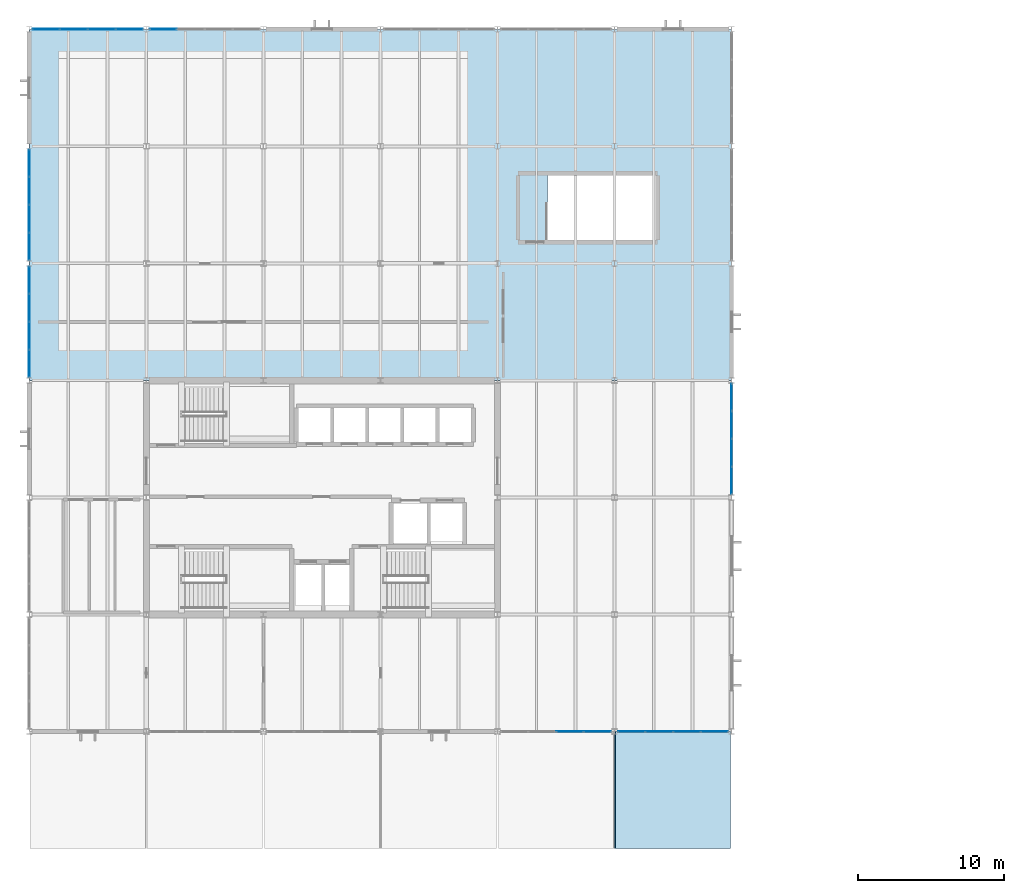
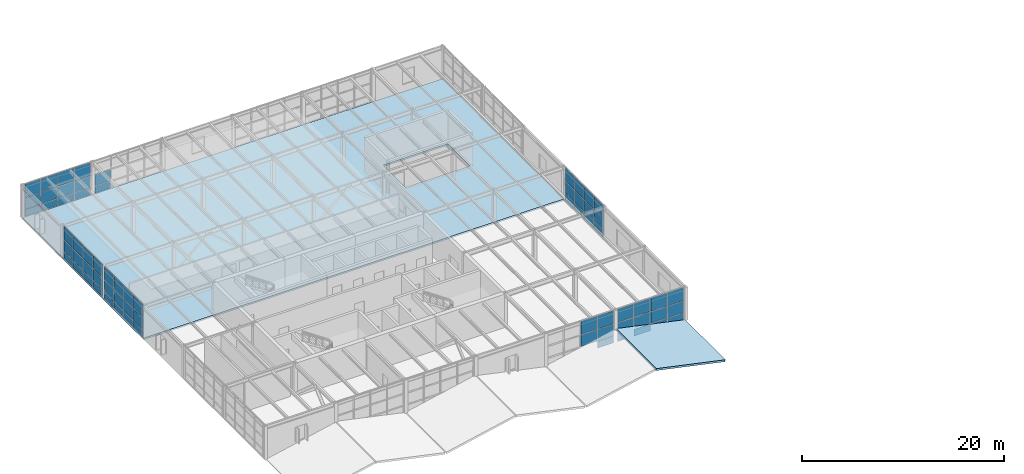
# One storey, part 22 of 34: 67 plates, 2 slabs, 7 elements without a shape of their own.
"""IFC4 building model written with IfcOpenShell, lengths in metres."""

from ifc_helpers import new_model, si_unit, direction, frame, origin, origin_2d, place, context, subcontext, project, spatial, polyline, rectangle, outline, extrude, material, layer, layer_set, type_object, element, aggregate, save


model = new_model("IFC4")

# Units and contexts
model_context = context("Model", 3, precision=1e-05, world=origin(), true_north=direction((0.0, 1.0)))
body_context = subcontext(model_context, "Body", "Model", "MODEL_VIEW")
ifc_project = project(units=[si_unit("LENGTHUNIT", "METRE"), si_unit("AREAUNIT", "SQUARE_METRE"), si_unit("VOLUMEUNIT", "CUBIC_METRE"), si_unit("PLANEANGLEUNIT", "RADIAN"), si_unit("MASSUNIT", "GRAM", prefix="KILO")], contexts=[model_context])

# Site, building, storey
site_placement = place(None, origin())
site = spatial("IfcSite", under=ifc_project, at=site_placement, CompositionType="ELEMENT")
building_placement = place(site_placement, origin())
building = spatial("IfcBuilding", under=site, at=building_placement, Name="Varnela Railside Interchange", CompositionType="ELEMENT")
storey_placement = place(building_placement, frame((0.0, 0.0, 19.60009765625)))
storey = spatial("IfcBuildingStorey", under=building, at=storey_placement, Name="L04", CompositionType="ELEMENT", Elevation=19.60009765625)

# Curtain wall, plates
ifc_material_1 = material(Name="Aluminium 6063-T6", Category="aluminium")
ifc_layer_1 = layer(ifc_material_1, 0.035888671875)
ifc_layer_set_1 = layer_set([ifc_layer_1], Name="Aluminium 6063-T6")
curtain_wall_type = type_object("IfcCurtainWallType", Name="Operations Wing Facade Curtain Wall CW-03", PredefinedType="USERDEFINED", material=ifc_layer_set_1)
curtain_wall_1_placement = place(storey_placement, origin())
curtain_wall_1 = element("IfcCurtainWall", 1, at=curtain_wall_1_placement, inside=storey, type_object=curtain_wall_type, Name="Curtain Wall CW-03 (L04) (CW-102)", ObjectType="CURTAIN WALL", PredefinedType="USERDEFINED")
ifc_material_2 = material(Name="Glass laminated double", Category="glass")
ifc_layer_2 = layer(ifc_material_2, 0.0400390625)
ifc_layer_set_2 = layer_set([ifc_layer_2], Name="Glass laminated double")
plate_type = type_object("IfcPlateType", Name="Acoustic Laminated Vision GL-03", PredefinedType="CURTAIN_PANEL", material=ifc_layer_set_2)
plate_1_placement = place(storey_placement, frame((50.84619140625, 46.0, 0.059814453125), z_axis=(0.0, 0.0, 1.0), x_axis=(-1.0, 0.0, 0.0)))
plate_1 = element("IfcPlate", 2, at=plate_1_placement, type_object=plate_type, Name="CW-03 panel 1.1", PredefinedType="CURTAIN_PANEL", context=body_context, shape_type="SweptSolid", body=[
    extrude(rectangle(XDim=1.8173828125, YDim=0.0400390625, at=origin_2d()), origin(), (0.0, 0.0, 1.0), 0.81005859375),
])
plate_2_placement = place(storey_placement, frame((50.84619140625, 46.0, 0.929931640625), z_axis=(0.0, 0.0, 1.0), x_axis=(-1.0, 0.0, 0.0)))
plate_2 = element("IfcPlate", 3, at=plate_2_placement, type_object=plate_type, Name="CW-03 panel 1.2", PredefinedType="CURTAIN_PANEL", context=body_context, shape_type="SweptSolid", body=[
    extrude(rectangle(XDim=1.8173828125, YDim=0.0400390625, at=origin_2d()), origin(), (0.0, 0.0, 1.0), 1.37158203125),
])
plate_3_placement = place(storey_placement, frame((50.84619140625, 46.0, 2.361328125), z_axis=(0.0, 0.0, 1.0), x_axis=(-1.0, 0.0, 0.0)))
plate_3 = element("IfcPlate", 4, at=plate_3_placement, type_object=plate_type, Name="CW-03 panel 1.3", PredefinedType="CURTAIN_PANEL", context=body_context, shape_type="SweptSolid", body=[
    extrude(rectangle(XDim=1.8173828125, YDim=0.0400390625, at=origin_2d()), origin(), (0.0, 0.0, 1.0), 1.598388671875),
])
plate_4_placement = place(storey_placement, frame((48.953857421875, 46.0, 0.059814453125), z_axis=(0.0, 0.0, 1.0), x_axis=(-1.0, 0.0, 0.0)))
plate_4 = element("IfcPlate", 5, at=plate_4_placement, type_object=plate_type, Name="CW-03 panel 2.1", PredefinedType="CURTAIN_PANEL", context=body_context, shape_type="SweptSolid", body=[
    extrude(rectangle(XDim=1.847412109375, YDim=0.0400390625, at=origin_2d()), origin(), (0.0, 0.0, 1.0), 0.81005859375),
])
plate_5_placement = place(storey_placement, frame((48.953857421875, 46.0, 0.929931640625), z_axis=(0.0, 0.0, 1.0), x_axis=(-1.0, 0.0, 0.0)))
plate_5 = element("IfcPlate", 6, at=plate_5_placement, type_object=plate_type, Name="CW-03 panel 2.2", PredefinedType="CURTAIN_PANEL", context=body_context, shape_type="SweptSolid", body=[
    extrude(rectangle(XDim=1.847412109375, YDim=0.0400390625, at=origin_2d()), origin(), (0.0, 0.0, 1.0), 1.37158203125),
])
plate_6_placement = place(storey_placement, frame((48.953857421875, 46.0, 2.361328125), z_axis=(0.0, 0.0, 1.0), x_axis=(-1.0, 0.0, 0.0)))
plate_6 = element("IfcPlate", 7, at=plate_6_placement, type_object=plate_type, Name="CW-03 panel 2.3", PredefinedType="CURTAIN_PANEL", context=body_context, shape_type="SweptSolid", body=[
    extrude(rectangle(XDim=1.847412109375, YDim=0.0400390625, at=origin_2d()), origin(), (0.0, 0.0, 1.0), 1.598388671875),
])
plate_7_placement = place(storey_placement, frame((47.046142578125, 46.0, 0.059814453125), z_axis=(0.0, 0.0, 1.0), x_axis=(-1.0, 0.0, 0.0)))
plate_7 = element("IfcPlate", 8, at=plate_7_placement, type_object=plate_type, Name="CW-03 panel 3.1", PredefinedType="CURTAIN_PANEL", context=body_context, shape_type="SweptSolid", body=[
    extrude(rectangle(XDim=1.847412109375, YDim=0.0400390625, at=origin_2d()), origin(), (0.0, 0.0, 1.0), 0.81005859375),
])
plate_8_placement = place(storey_placement, frame((47.046142578125, 46.0, 0.929931640625), z_axis=(0.0, 0.0, 1.0), x_axis=(-1.0, 0.0, 0.0)))
plate_8 = element("IfcPlate", 9, at=plate_8_placement, type_object=plate_type, Name="CW-03 panel 3.2", PredefinedType="CURTAIN_PANEL", context=body_context, shape_type="SweptSolid", body=[
    extrude(rectangle(XDim=1.847412109375, YDim=0.0400390625, at=origin_2d()), origin(), (0.0, 0.0, 1.0), 1.37158203125),
])
plate_9_placement = place(storey_placement, frame((47.046142578125, 46.0, 2.361328125), z_axis=(0.0, 0.0, 1.0), x_axis=(-1.0, 0.0, 0.0)))
plate_9 = element("IfcPlate", 10, at=plate_9_placement, type_object=plate_type, Name="CW-03 panel 3.3", PredefinedType="CURTAIN_PANEL", context=body_context, shape_type="SweptSolid", body=[
    extrude(rectangle(XDim=1.847412109375, YDim=0.0400390625, at=origin_2d()), origin(), (0.0, 0.0, 1.0), 1.598388671875),
])
plate_10_placement = place(storey_placement, frame((45.15380859375, 46.0, 0.059814453125), z_axis=(0.0, 0.0, 1.0), x_axis=(-1.0, 0.0, 0.0)))
plate_10 = element("IfcPlate", 11, at=plate_10_placement, type_object=plate_type, Name="CW-03 panel 4.1", PredefinedType="CURTAIN_PANEL", context=body_context, shape_type="SweptSolid", body=[
    extrude(rectangle(XDim=1.8173828125, YDim=0.0400390625, at=origin_2d()), origin(), (0.0, 0.0, 1.0), 0.81005859375),
])
plate_11_placement = place(storey_placement, frame((45.15380859375, 46.0, 0.929931640625), z_axis=(0.0, 0.0, 1.0), x_axis=(-1.0, 0.0, 0.0)))
plate_11 = element("IfcPlate", 12, at=plate_11_placement, type_object=plate_type, Name="CW-03 panel 4.2", PredefinedType="CURTAIN_PANEL", context=body_context, shape_type="SweptSolid", body=[
    extrude(rectangle(XDim=1.8173828125, YDim=0.0400390625, at=origin_2d()), origin(), (0.0, 0.0, 1.0), 1.37158203125),
])
plate_12_placement = place(storey_placement, frame((45.15380859375, 46.0, 2.361328125), z_axis=(0.0, 0.0, 1.0), x_axis=(-1.0, 0.0, 0.0)))
plate_12 = element("IfcPlate", 13, at=plate_12_placement, type_object=plate_type, Name="CW-03 panel 4.3", PredefinedType="CURTAIN_PANEL", context=body_context, shape_type="SweptSolid", body=[
    extrude(rectangle(XDim=1.8173828125, YDim=0.0400390625, at=origin_2d()), origin(), (0.0, 0.0, 1.0), 1.598388671875),
])
aggregate(curtain_wall_1, [plate_1, plate_2, plate_3, plate_4, plate_5, plate_6, plate_7, plate_8, plate_9, plate_10, plate_11, plate_12])

curtain_wall_2_placement = place(storey_placement, origin())
curtain_wall_2 = element("IfcCurtainWall", 14, at=curtain_wall_2_placement, inside=storey, type_object=curtain_wall_type, Name="Curtain Wall CW-03 (L04) (CW-110)", ObjectType="CURTAIN WALL", PredefinedType="USERDEFINED")
plate_13_placement = place(storey_placement, frame((42.84619140625, 46.0, 0.059814453125), z_axis=(0.0, 0.0, 1.0), x_axis=(-1.0, 0.0, 0.0)))
plate_13 = element("IfcPlate", 15, at=plate_13_placement, type_object=plate_type, Name="CW-03 panel 1.1", PredefinedType="CURTAIN_PANEL", context=body_context, shape_type="SweptSolid", body=[
    extrude(rectangle(XDim=1.8173828125, YDim=0.0400390625, at=origin_2d()), origin(), (0.0, 0.0, 1.0), 0.81005859375),
])
plate_14_placement = place(storey_placement, frame((42.84619140625, 46.0, 0.929931640625), z_axis=(0.0, 0.0, 1.0), x_axis=(-1.0, 0.0, 0.0)))
plate_14 = element("IfcPlate", 16, at=plate_14_placement, type_object=plate_type, Name="CW-03 panel 1.2", PredefinedType="CURTAIN_PANEL", context=body_context, shape_type="SweptSolid", body=[
    extrude(rectangle(XDim=1.8173828125, YDim=0.0400390625, at=origin_2d()), origin(), (0.0, 0.0, 1.0), 1.37158203125),
])
plate_15_placement = place(storey_placement, frame((42.84619140625, 46.0, 2.361328125), z_axis=(0.0, 0.0, 1.0), x_axis=(-1.0, 0.0, 0.0)))
plate_15 = element("IfcPlate", 17, at=plate_15_placement, type_object=plate_type, Name="CW-03 panel 1.3", PredefinedType="CURTAIN_PANEL", context=body_context, shape_type="SweptSolid", body=[
    extrude(rectangle(XDim=1.8173828125, YDim=0.0400390625, at=origin_2d()), origin(), (0.0, 0.0, 1.0), 1.598388671875),
])
plate_16_placement = place(storey_placement, frame((40.953857421875, 46.0, 0.929931640625), z_axis=(0.0, 0.0, 1.0), x_axis=(-1.0, 0.0, 0.0)))
plate_16 = element("IfcPlate", 18, at=plate_16_placement, type_object=plate_type, Name="CW-03 panel 2.2", PredefinedType="CURTAIN_PANEL", context=body_context, shape_type="SweptSolid", body=[
    extrude(rectangle(XDim=1.847412109375, YDim=0.0400390625, at=origin_2d()), origin(), (0.0, 0.0, 1.0), 1.37158203125),
])
plate_17_placement = place(storey_placement, frame((40.953857421875, 46.0, 2.361328125), z_axis=(0.0, 0.0, 1.0), x_axis=(-1.0, 0.0, 0.0)))
plate_17 = element("IfcPlate", 19, at=plate_17_placement, type_object=plate_type, Name="CW-03 panel 2.3", PredefinedType="CURTAIN_PANEL", context=body_context, shape_type="SweptSolid", body=[
    extrude(rectangle(XDim=1.847412109375, YDim=0.0400390625, at=origin_2d()), origin(), (0.0, 0.0, 1.0), 1.598388671875),
])
aggregate(curtain_wall_2, [plate_13, plate_14, plate_15, plate_16, plate_17])

curtain_wall_3_placement = place(storey_placement, origin())
curtain_wall_3 = element("IfcCurtainWall", 20, at=curtain_wall_3_placement, inside=storey, type_object=curtain_wall_type, Name="Curtain Wall CW-03 (L04) (CW-103)", ObjectType="CURTAIN WALL", PredefinedType="USERDEFINED")
plate_18_placement = place(storey_placement, frame((4.0, 71.14990234375, 0.059814453125), z_axis=(0.0, 0.0, 1.0), x_axis=(0.0, 1.0, 0.0)))
plate_18 = element("IfcPlate", 21, at=plate_18_placement, type_object=plate_type, Name="CW-03 panel 1.1", PredefinedType="CURTAIN_PANEL", context=body_context, shape_type="SweptSolid", body=[
    extrude(rectangle(XDim=1.820068359375, YDim=0.0400390625, at=origin_2d()), origin(), (0.0, 0.0, 1.0), 0.81005859375),
])
plate_19_placement = place(storey_placement, frame((4.0, 71.14990234375, 0.929931640625), z_axis=(0.0, 0.0, 1.0), x_axis=(0.0, 1.0, 0.0)))
plate_19 = element("IfcPlate", 22, at=plate_19_placement, type_object=plate_type, Name="CW-03 panel 1.2", PredefinedType="CURTAIN_PANEL", context=body_context, shape_type="SweptSolid", body=[
    extrude(rectangle(XDim=1.820068359375, YDim=0.0400390625, at=origin_2d()), origin(), (0.0, 0.0, 1.0), 1.37158203125),
])
plate_20_placement = place(storey_placement, frame((4.0, 71.14990234375, 2.361328125), z_axis=(0.0, 0.0, 1.0), x_axis=(0.0, 1.0, 0.0)))
plate_20 = element("IfcPlate", 23, at=plate_20_placement, type_object=plate_type, Name="CW-03 panel 1.3", PredefinedType="CURTAIN_PANEL", context=body_context, shape_type="SweptSolid", body=[
    extrude(rectangle(XDim=1.820068359375, YDim=0.0400390625, at=origin_2d()), origin(), (0.0, 0.0, 1.0), 1.598388671875),
])
plate_21_placement = place(storey_placement, frame((4.0, 73.044921875, 0.059814453125), z_axis=(0.0, 0.0, 1.0), x_axis=(0.0, 1.0, 0.0)))
plate_21 = element("IfcPlate", 24, at=plate_21_placement, type_object=plate_type, Name="CW-03 panel 2.1", PredefinedType="CURTAIN_PANEL", context=body_context, shape_type="SweptSolid", body=[
    extrude(rectangle(XDim=1.85009765625, YDim=0.0400390625, at=origin_2d()), origin(), (0.0, 0.0, 1.0), 0.81005859375),
])
plate_22_placement = place(storey_placement, frame((4.0, 73.044921875, 0.929931640625), z_axis=(0.0, 0.0, 1.0), x_axis=(0.0, 1.0, 0.0)))
plate_22 = element("IfcPlate", 25, at=plate_22_placement, type_object=plate_type, Name="CW-03 panel 2.2", PredefinedType="CURTAIN_PANEL", context=body_context, shape_type="SweptSolid", body=[
    extrude(rectangle(XDim=1.85009765625, YDim=0.0400390625, at=origin_2d()), origin(), (0.0, 0.0, 1.0), 1.37158203125),
])
plate_23_placement = place(storey_placement, frame((4.0, 73.044921875, 2.361328125), z_axis=(0.0, 0.0, 1.0), x_axis=(0.0, 1.0, 0.0)))
plate_23 = element("IfcPlate", 26, at=plate_23_placement, type_object=plate_type, Name="CW-03 panel 2.3", PredefinedType="CURTAIN_PANEL", context=body_context, shape_type="SweptSolid", body=[
    extrude(rectangle(XDim=1.85009765625, YDim=0.0400390625, at=origin_2d()), origin(), (0.0, 0.0, 1.0), 1.598388671875),
])
plate_24_placement = place(storey_placement, frame((4.0, 74.955078125, 0.059814453125), z_axis=(0.0, 0.0, 1.0), x_axis=(0.0, 1.0, 0.0)))
plate_24 = element("IfcPlate", 27, at=plate_24_placement, type_object=plate_type, Name="CW-03 panel 3.1", PredefinedType="CURTAIN_PANEL", context=body_context, shape_type="SweptSolid", body=[
    extrude(rectangle(XDim=1.85009765625, YDim=0.0400390625, at=origin_2d()), origin(), (0.0, 0.0, 1.0), 0.81005859375),
])
plate_25_placement = place(storey_placement, frame((4.0, 74.955078125, 0.929931640625), z_axis=(0.0, 0.0, 1.0), x_axis=(0.0, 1.0, 0.0)))
plate_25 = element("IfcPlate", 28, at=plate_25_placement, type_object=plate_type, Name="CW-03 panel 3.2", PredefinedType="CURTAIN_PANEL", context=body_context, shape_type="SweptSolid", body=[
    extrude(rectangle(XDim=1.85009765625, YDim=0.0400390625, at=origin_2d()), origin(), (0.0, 0.0, 1.0), 1.37158203125),
])
plate_26_placement = place(storey_placement, frame((4.0, 74.955078125, 2.361328125), z_axis=(0.0, 0.0, 1.0), x_axis=(0.0, 1.0, 0.0)))
plate_26 = element("IfcPlate", 29, at=plate_26_placement, type_object=plate_type, Name="CW-03 panel 3.3", PredefinedType="CURTAIN_PANEL", context=body_context, shape_type="SweptSolid", body=[
    extrude(rectangle(XDim=1.85009765625, YDim=0.0400390625, at=origin_2d()), origin(), (0.0, 0.0, 1.0), 1.598388671875),
])
plate_27_placement = place(storey_placement, frame((4.0, 76.85009765625, 0.059814453125), z_axis=(0.0, 0.0, 1.0), x_axis=(0.0, 1.0, 0.0)))
plate_27 = element("IfcPlate", 30, at=plate_27_placement, type_object=plate_type, Name="CW-03 panel 4.1", PredefinedType="CURTAIN_PANEL", context=body_context, shape_type="SweptSolid", body=[
    extrude(rectangle(XDim=1.820068359375, YDim=0.0400390625, at=origin_2d()), origin(), (0.0, 0.0, 1.0), 0.81005859375),
])
plate_28_placement = place(storey_placement, frame((4.0, 76.85009765625, 0.929931640625), z_axis=(0.0, 0.0, 1.0), x_axis=(0.0, 1.0, 0.0)))
plate_28 = element("IfcPlate", 31, at=plate_28_placement, type_object=plate_type, Name="CW-03 panel 4.2", PredefinedType="CURTAIN_PANEL", context=body_context, shape_type="SweptSolid", body=[
    extrude(rectangle(XDim=1.820068359375, YDim=0.0400390625, at=origin_2d()), origin(), (0.0, 0.0, 1.0), 1.37158203125),
])
plate_29_placement = place(storey_placement, frame((4.0, 76.85009765625, 2.361328125), z_axis=(0.0, 0.0, 1.0), x_axis=(0.0, 1.0, 0.0)))
plate_29 = element("IfcPlate", 32, at=plate_29_placement, type_object=plate_type, Name="CW-03 panel 4.3", PredefinedType="CURTAIN_PANEL", context=body_context, shape_type="SweptSolid", body=[
    extrude(rectangle(XDim=1.820068359375, YDim=0.0400390625, at=origin_2d()), origin(), (0.0, 0.0, 1.0), 1.598388671875),
])
aggregate(curtain_wall_3, [plate_18, plate_19, plate_20, plate_21, plate_22, plate_23, plate_24, plate_25, plate_26, plate_27, plate_28, plate_29])

curtain_wall_4_placement = place(storey_placement, origin())
curtain_wall_4 = element("IfcCurtainWall", 33, at=curtain_wall_4_placement, inside=storey, type_object=curtain_wall_type, Name="Curtain Wall CW-03 (L04) (CW-104)", ObjectType="CURTAIN WALL", PredefinedType="USERDEFINED")
plate_30_placement = place(storey_placement, frame((4.0, 79.14990234375, 0.059814453125), z_axis=(0.0, 0.0, 1.0), x_axis=(0.0, 1.0, 0.0)))
plate_30 = element("IfcPlate", 34, at=plate_30_placement, type_object=plate_type, Name="CW-03 panel 1.1", PredefinedType="CURTAIN_PANEL", context=body_context, shape_type="SweptSolid", body=[
    extrude(rectangle(XDim=1.820068359375, YDim=0.0400390625, at=origin_2d()), origin(), (0.0, 0.0, 1.0), 0.81005859375),
])
plate_31_placement = place(storey_placement, frame((4.0, 79.14990234375, 0.929931640625), z_axis=(0.0, 0.0, 1.0), x_axis=(0.0, 1.0, 0.0)))
plate_31 = element("IfcPlate", 35, at=plate_31_placement, type_object=plate_type, Name="CW-03 panel 1.2", PredefinedType="CURTAIN_PANEL", context=body_context, shape_type="SweptSolid", body=[
    extrude(rectangle(XDim=1.820068359375, YDim=0.0400390625, at=origin_2d()), origin(), (0.0, 0.0, 1.0), 1.37158203125),
])
plate_32_placement = place(storey_placement, frame((4.0, 79.14990234375, 2.361328125), z_axis=(0.0, 0.0, 1.0), x_axis=(0.0, 1.0, 0.0)))
plate_32 = element("IfcPlate", 36, at=plate_32_placement, type_object=plate_type, Name="CW-03 panel 1.3", PredefinedType="CURTAIN_PANEL", context=body_context, shape_type="SweptSolid", body=[
    extrude(rectangle(XDim=1.820068359375, YDim=0.0400390625, at=origin_2d()), origin(), (0.0, 0.0, 1.0), 1.598388671875),
])
plate_33_placement = place(storey_placement, frame((4.0, 81.044921875, 0.059814453125), z_axis=(0.0, 0.0, 1.0), x_axis=(0.0, 1.0, 0.0)))
plate_33 = element("IfcPlate", 37, at=plate_33_placement, type_object=plate_type, Name="CW-03 panel 2.1", PredefinedType="CURTAIN_PANEL", context=body_context, shape_type="SweptSolid", body=[
    extrude(rectangle(XDim=1.85009765625, YDim=0.0400390625, at=origin_2d()), origin(), (0.0, 0.0, 1.0), 0.81005859375),
])
plate_34_placement = place(storey_placement, frame((4.0, 81.044921875, 0.929931640625), z_axis=(0.0, 0.0, 1.0), x_axis=(0.0, 1.0, 0.0)))
plate_34 = element("IfcPlate", 38, at=plate_34_placement, type_object=plate_type, Name="CW-03 panel 2.2", PredefinedType="CURTAIN_PANEL", context=body_context, shape_type="SweptSolid", body=[
    extrude(rectangle(XDim=1.85009765625, YDim=0.0400390625, at=origin_2d()), origin(), (0.0, 0.0, 1.0), 1.37158203125),
])
plate_35_placement = place(storey_placement, frame((4.0, 81.044921875, 2.361328125), z_axis=(0.0, 0.0, 1.0), x_axis=(0.0, 1.0, 0.0)))
plate_35 = element("IfcPlate", 39, at=plate_35_placement, type_object=plate_type, Name="CW-03 panel 2.3", PredefinedType="CURTAIN_PANEL", context=body_context, shape_type="SweptSolid", body=[
    extrude(rectangle(XDim=1.85009765625, YDim=0.0400390625, at=origin_2d()), origin(), (0.0, 0.0, 1.0), 1.598388671875),
])
plate_36_placement = place(storey_placement, frame((4.0, 82.955078125, 0.059814453125), z_axis=(0.0, 0.0, 1.0), x_axis=(0.0, 1.0, 0.0)))
plate_36 = element("IfcPlate", 40, at=plate_36_placement, type_object=plate_type, Name="CW-03 panel 3.1", PredefinedType="CURTAIN_PANEL", context=body_context, shape_type="SweptSolid", body=[
    extrude(rectangle(XDim=1.85009765625, YDim=0.0400390625, at=origin_2d()), origin(), (0.0, 0.0, 1.0), 0.81005859375),
])
plate_37_placement = place(storey_placement, frame((4.0, 82.955078125, 0.929931640625), z_axis=(0.0, 0.0, 1.0), x_axis=(0.0, 1.0, 0.0)))
plate_37 = element("IfcPlate", 41, at=plate_37_placement, type_object=plate_type, Name="CW-03 panel 3.2", PredefinedType="CURTAIN_PANEL", context=body_context, shape_type="SweptSolid", body=[
    extrude(rectangle(XDim=1.85009765625, YDim=0.0400390625, at=origin_2d()), origin(), (0.0, 0.0, 1.0), 1.37158203125),
])
plate_38_placement = place(storey_placement, frame((4.0, 82.955078125, 2.361328125), z_axis=(0.0, 0.0, 1.0), x_axis=(0.0, 1.0, 0.0)))
plate_38 = element("IfcPlate", 42, at=plate_38_placement, type_object=plate_type, Name="CW-03 panel 3.3", PredefinedType="CURTAIN_PANEL", context=body_context, shape_type="SweptSolid", body=[
    extrude(rectangle(XDim=1.85009765625, YDim=0.0400390625, at=origin_2d()), origin(), (0.0, 0.0, 1.0), 1.598388671875),
])
plate_39_placement = place(storey_placement, frame((4.0, 84.85009765625, 0.059814453125), z_axis=(0.0, 0.0, 1.0), x_axis=(0.0, 1.0, 0.0)))
plate_39 = element("IfcPlate", 43, at=plate_39_placement, type_object=plate_type, Name="CW-03 panel 4.1", PredefinedType="CURTAIN_PANEL", context=body_context, shape_type="SweptSolid", body=[
    extrude(rectangle(XDim=1.820068359375, YDim=0.0400390625, at=origin_2d()), origin(), (0.0, 0.0, 1.0), 0.81005859375),
])
plate_40_placement = place(storey_placement, frame((4.0, 84.85009765625, 0.929931640625), z_axis=(0.0, 0.0, 1.0), x_axis=(0.0, 1.0, 0.0)))
plate_40 = element("IfcPlate", 44, at=plate_40_placement, type_object=plate_type, Name="CW-03 panel 4.2", PredefinedType="CURTAIN_PANEL", context=body_context, shape_type="SweptSolid", body=[
    extrude(rectangle(XDim=1.820068359375, YDim=0.0400390625, at=origin_2d()), origin(), (0.0, 0.0, 1.0), 1.37158203125),
])
plate_41_placement = place(storey_placement, frame((4.0, 84.85009765625, 2.361328125), z_axis=(0.0, 0.0, 1.0), x_axis=(0.0, 1.0, 0.0)))
plate_41 = element("IfcPlate", 45, at=plate_41_placement, type_object=plate_type, Name="CW-03 panel 4.3", PredefinedType="CURTAIN_PANEL", context=body_context, shape_type="SweptSolid", body=[
    extrude(rectangle(XDim=1.820068359375, YDim=0.0400390625, at=origin_2d()), origin(), (0.0, 0.0, 1.0), 1.598388671875),
])
aggregate(curtain_wall_4, [plate_30, plate_31, plate_32, plate_33, plate_34, plate_35, plate_36, plate_37, plate_38, plate_39, plate_40, plate_41])

curtain_wall_5_placement = place(storey_placement, origin())
curtain_wall_5 = element("IfcCurtainWall", 46, at=curtain_wall_5_placement, inside=storey, type_object=curtain_wall_type, Name="Curtain Wall CW-03 (L04) (CW-105)", ObjectType="CURTAIN WALL", PredefinedType="USERDEFINED")
plate_42_placement = place(storey_placement, frame((5.15380859375, 94.0, 0.059814453125), z_axis=(0.0, 0.0, 1.0), x_axis=(1.0, 0.0, 0.0)))
plate_42 = element("IfcPlate", 47, at=plate_42_placement, type_object=plate_type, Name="CW-03 panel 1.1", PredefinedType="CURTAIN_PANEL", context=body_context, shape_type="SweptSolid", body=[
    extrude(rectangle(XDim=1.8173828125, YDim=0.0400390625, at=origin_2d()), origin(), (0.0, 0.0, 1.0), 0.81005859375),
])
plate_43_placement = place(storey_placement, frame((5.15380859375, 94.0, 0.929931640625), z_axis=(0.0, 0.0, 1.0), x_axis=(1.0, 0.0, 0.0)))
plate_43 = element("IfcPlate", 48, at=plate_43_placement, type_object=plate_type, Name="CW-03 panel 1.2", PredefinedType="CURTAIN_PANEL", context=body_context, shape_type="SweptSolid", body=[
    extrude(rectangle(XDim=1.8173828125, YDim=0.0400390625, at=origin_2d()), origin(), (0.0, 0.0, 1.0), 1.37158203125),
])
plate_44_placement = place(storey_placement, frame((5.15380859375, 94.0, 2.361328125), z_axis=(0.0, 0.0, 1.0), x_axis=(1.0, 0.0, 0.0)))
plate_44 = element("IfcPlate", 49, at=plate_44_placement, type_object=plate_type, Name="CW-03 panel 1.3", PredefinedType="CURTAIN_PANEL", context=body_context, shape_type="SweptSolid", body=[
    extrude(rectangle(XDim=1.8173828125, YDim=0.0400390625, at=origin_2d()), origin(), (0.0, 0.0, 1.0), 1.598388671875),
])
plate_45_placement = place(storey_placement, frame((7.046142578125, 94.0, 0.059814453125), z_axis=(0.0, 0.0, 1.0), x_axis=(1.0, 0.0, 0.0)))
plate_45 = element("IfcPlate", 50, at=plate_45_placement, type_object=plate_type, Name="CW-03 panel 2.1", PredefinedType="CURTAIN_PANEL", context=body_context, shape_type="SweptSolid", body=[
    extrude(rectangle(XDim=1.847412109375, YDim=0.0400390625, at=origin_2d()), origin(), (0.0, 0.0, 1.0), 0.81005859375),
])
plate_46_placement = place(storey_placement, frame((7.046142578125, 94.0, 0.929931640625), z_axis=(0.0, 0.0, 1.0), x_axis=(1.0, 0.0, 0.0)))
plate_46 = element("IfcPlate", 51, at=plate_46_placement, type_object=plate_type, Name="CW-03 panel 2.2", PredefinedType="CURTAIN_PANEL", context=body_context, shape_type="SweptSolid", body=[
    extrude(rectangle(XDim=1.847412109375, YDim=0.0400390625, at=origin_2d()), origin(), (0.0, 0.0, 1.0), 1.37158203125),
])
plate_47_placement = place(storey_placement, frame((7.046142578125, 94.0, 2.361328125), z_axis=(0.0, 0.0, 1.0), x_axis=(1.0, 0.0, 0.0)))
plate_47 = element("IfcPlate", 52, at=plate_47_placement, type_object=plate_type, Name="CW-03 panel 2.3", PredefinedType="CURTAIN_PANEL", context=body_context, shape_type="SweptSolid", body=[
    extrude(rectangle(XDim=1.847412109375, YDim=0.0400390625, at=origin_2d()), origin(), (0.0, 0.0, 1.0), 1.598388671875),
])
plate_48_placement = place(storey_placement, frame((8.953857421875, 94.0, 0.059814453125), z_axis=(0.0, 0.0, 1.0), x_axis=(1.0, 0.0, 0.0)))
plate_48 = element("IfcPlate", 53, at=plate_48_placement, type_object=plate_type, Name="CW-03 panel 3.1", PredefinedType="CURTAIN_PANEL", context=body_context, shape_type="SweptSolid", body=[
    extrude(rectangle(XDim=1.847412109375, YDim=0.0400390625, at=origin_2d()), origin(), (0.0, 0.0, 1.0), 0.81005859375),
])
plate_49_placement = place(storey_placement, frame((8.953857421875, 94.0, 0.929931640625), z_axis=(0.0, 0.0, 1.0), x_axis=(1.0, 0.0, 0.0)))
plate_49 = element("IfcPlate", 54, at=plate_49_placement, type_object=plate_type, Name="CW-03 panel 3.2", PredefinedType="CURTAIN_PANEL", context=body_context, shape_type="SweptSolid", body=[
    extrude(rectangle(XDim=1.847412109375, YDim=0.0400390625, at=origin_2d()), origin(), (0.0, 0.0, 1.0), 1.37158203125),
])
plate_50_placement = place(storey_placement, frame((8.953857421875, 94.0, 2.361328125), z_axis=(0.0, 0.0, 1.0), x_axis=(1.0, 0.0, 0.0)))
plate_50 = element("IfcPlate", 55, at=plate_50_placement, type_object=plate_type, Name="CW-03 panel 3.3", PredefinedType="CURTAIN_PANEL", context=body_context, shape_type="SweptSolid", body=[
    extrude(rectangle(XDim=1.847412109375, YDim=0.0400390625, at=origin_2d()), origin(), (0.0, 0.0, 1.0), 1.598388671875),
])
plate_51_placement = place(storey_placement, frame((10.84619140625, 94.0, 0.059814453125), z_axis=(0.0, 0.0, 1.0), x_axis=(1.0, 0.0, 0.0)))
plate_51 = element("IfcPlate", 56, at=plate_51_placement, type_object=plate_type, Name="CW-03 panel 4.1", PredefinedType="CURTAIN_PANEL", context=body_context, shape_type="SweptSolid", body=[
    extrude(rectangle(XDim=1.8173828125, YDim=0.0400390625, at=origin_2d()), origin(), (0.0, 0.0, 1.0), 0.81005859375),
])
plate_52_placement = place(storey_placement, frame((10.84619140625, 94.0, 0.929931640625), z_axis=(0.0, 0.0, 1.0), x_axis=(1.0, 0.0, 0.0)))
plate_52 = element("IfcPlate", 57, at=plate_52_placement, type_object=plate_type, Name="CW-03 panel 4.2", PredefinedType="CURTAIN_PANEL", context=body_context, shape_type="SweptSolid", body=[
    extrude(rectangle(XDim=1.8173828125, YDim=0.0400390625, at=origin_2d()), origin(), (0.0, 0.0, 1.0), 1.37158203125),
])
plate_53_placement = place(storey_placement, frame((10.84619140625, 94.0, 2.361328125), z_axis=(0.0, 0.0, 1.0), x_axis=(1.0, 0.0, 0.0)))
plate_53 = element("IfcPlate", 58, at=plate_53_placement, type_object=plate_type, Name="CW-03 panel 4.3", PredefinedType="CURTAIN_PANEL", context=body_context, shape_type="SweptSolid", body=[
    extrude(rectangle(XDim=1.8173828125, YDim=0.0400390625, at=origin_2d()), origin(), (0.0, 0.0, 1.0), 1.598388671875),
])
aggregate(curtain_wall_5, [plate_42, plate_43, plate_44, plate_45, plate_46, plate_47, plate_48, plate_49, plate_50, plate_51, plate_52, plate_53])

curtain_wall_6_placement = place(storey_placement, origin())
curtain_wall_6 = element("IfcCurtainWall", 59, at=curtain_wall_6_placement, inside=storey, type_object=curtain_wall_type, Name="Curtain Wall CW-03 (L04) (CW-106)", ObjectType="CURTAIN WALL", PredefinedType="USERDEFINED")
plate_54_placement = place(storey_placement, frame((13.15380859375, 94.0, 0.059814453125), z_axis=(0.0, 0.0, 1.0), x_axis=(1.0, 0.0, 0.0)))
plate_54 = element("IfcPlate", 60, at=plate_54_placement, type_object=plate_type, Name="CW-03 panel 1.1", PredefinedType="CURTAIN_PANEL", context=body_context, shape_type="SweptSolid", body=[
    extrude(rectangle(XDim=1.8173828125, YDim=0.0400390625, at=origin_2d()), origin(), (0.0, 0.0, 1.0), 0.81005859375),
])
plate_55_placement = place(storey_placement, frame((13.15380859375, 94.0, 0.929931640625), z_axis=(0.0, 0.0, 1.0), x_axis=(1.0, 0.0, 0.0)))
plate_55 = element("IfcPlate", 61, at=plate_55_placement, type_object=plate_type, Name="CW-03 panel 1.2", PredefinedType="CURTAIN_PANEL", context=body_context, shape_type="SweptSolid", body=[
    extrude(rectangle(XDim=1.8173828125, YDim=0.0400390625, at=origin_2d()), origin(), (0.0, 0.0, 1.0), 1.37158203125),
])
aggregate(curtain_wall_6, [plate_54, plate_55])

curtain_wall_7_placement = place(storey_placement, origin())
curtain_wall_7 = element("IfcCurtainWall", 62, at=curtain_wall_7_placement, inside=storey, type_object=curtain_wall_type, Name="Curtain Wall CW-03 (L04) (CW-112)", ObjectType="CURTAIN WALL", PredefinedType="USERDEFINED")
plate_56_placement = place(storey_placement, frame((52.0, 68.85009765625, 0.059814453125), z_axis=(0.0, 0.0, 1.0), x_axis=(0.0, -1.0, 0.0)))
plate_56 = element("IfcPlate", 63, at=plate_56_placement, type_object=plate_type, Name="CW-03 panel 1.1", PredefinedType="CURTAIN_PANEL", context=body_context, shape_type="SweptSolid", body=[
    extrude(rectangle(XDim=1.820068359375, YDim=0.0400390625, at=origin_2d()), origin(), (0.0, 0.0, 1.0), 0.81005859375),
])
plate_57_placement = place(storey_placement, frame((52.0, 68.85009765625, 0.929931640625), z_axis=(0.0, 0.0, 1.0), x_axis=(0.0, -1.0, 0.0)))
plate_57 = element("IfcPlate", 64, at=plate_57_placement, type_object=plate_type, Name="CW-03 panel 1.2", PredefinedType="CURTAIN_PANEL", context=body_context, shape_type="SweptSolid", body=[
    extrude(rectangle(XDim=1.820068359375, YDim=0.0400390625, at=origin_2d()), origin(), (0.0, 0.0, 1.0), 1.37158203125),
])
plate_58_placement = place(storey_placement, frame((52.0, 68.85009765625, 2.361328125), z_axis=(0.0, 0.0, 1.0), x_axis=(0.0, -1.0, 0.0)))
plate_58 = element("IfcPlate", 65, at=plate_58_placement, type_object=plate_type, Name="CW-03 panel 1.3", PredefinedType="CURTAIN_PANEL", context=body_context, shape_type="SweptSolid", body=[
    extrude(rectangle(XDim=1.820068359375, YDim=0.0400390625, at=origin_2d()), origin(), (0.0, 0.0, 1.0), 1.598388671875),
])
plate_59_placement = place(storey_placement, frame((52.0, 66.955078125, 0.059814453125), z_axis=(0.0, 0.0, 1.0), x_axis=(0.0, -1.0, 0.0)))
plate_59 = element("IfcPlate", 66, at=plate_59_placement, type_object=plate_type, Name="CW-03 panel 2.1", PredefinedType="CURTAIN_PANEL", context=body_context, shape_type="SweptSolid", body=[
    extrude(rectangle(XDim=1.85009765625, YDim=0.0400390625, at=origin_2d()), origin(), (0.0, 0.0, 1.0), 0.81005859375),
])
plate_60_placement = place(storey_placement, frame((52.0, 66.955078125, 0.929931640625), z_axis=(0.0, 0.0, 1.0), x_axis=(0.0, -1.0, 0.0)))
plate_60 = element("IfcPlate", 67, at=plate_60_placement, type_object=plate_type, Name="CW-03 panel 2.2", PredefinedType="CURTAIN_PANEL", context=body_context, shape_type="SweptSolid", body=[
    extrude(rectangle(XDim=1.85009765625, YDim=0.0400390625, at=origin_2d()), origin(), (0.0, 0.0, 1.0), 1.37158203125),
])
plate_61_placement = place(storey_placement, frame((52.0, 66.955078125, 2.361328125), z_axis=(0.0, 0.0, 1.0), x_axis=(0.0, -1.0, 0.0)))
plate_61 = element("IfcPlate", 68, at=plate_61_placement, type_object=plate_type, Name="CW-03 panel 2.3", PredefinedType="CURTAIN_PANEL", context=body_context, shape_type="SweptSolid", body=[
    extrude(rectangle(XDim=1.85009765625, YDim=0.0400390625, at=origin_2d()), origin(), (0.0, 0.0, 1.0), 1.598388671875),
])
plate_62_placement = place(storey_placement, frame((52.0, 65.044921875, 0.059814453125), z_axis=(0.0, 0.0, 1.0), x_axis=(0.0, -1.0, 0.0)))
plate_62 = element("IfcPlate", 69, at=plate_62_placement, type_object=plate_type, Name="CW-03 panel 3.1", PredefinedType="CURTAIN_PANEL", context=body_context, shape_type="SweptSolid", body=[
    extrude(rectangle(XDim=1.85009765625, YDim=0.0400390625, at=origin_2d()), origin(), (0.0, 0.0, 1.0), 0.81005859375),
])
plate_63_placement = place(storey_placement, frame((52.0, 65.044921875, 0.929931640625), z_axis=(0.0, 0.0, 1.0), x_axis=(0.0, -1.0, 0.0)))
plate_63 = element("IfcPlate", 70, at=plate_63_placement, type_object=plate_type, Name="CW-03 panel 3.2", PredefinedType="CURTAIN_PANEL", context=body_context, shape_type="SweptSolid", body=[
    extrude(rectangle(XDim=1.85009765625, YDim=0.0400390625, at=origin_2d()), origin(), (0.0, 0.0, 1.0), 1.37158203125),
])
plate_64_placement = place(storey_placement, frame((52.0, 65.044921875, 2.361328125), z_axis=(0.0, 0.0, 1.0), x_axis=(0.0, -1.0, 0.0)))
plate_64 = element("IfcPlate", 71, at=plate_64_placement, type_object=plate_type, Name="CW-03 panel 3.3", PredefinedType="CURTAIN_PANEL", context=body_context, shape_type="SweptSolid", body=[
    extrude(rectangle(XDim=1.85009765625, YDim=0.0400390625, at=origin_2d()), origin(), (0.0, 0.0, 1.0), 1.598388671875),
])
plate_65_placement = place(storey_placement, frame((52.0, 63.14990234375, 0.059814453125), z_axis=(0.0, 0.0, 1.0), x_axis=(0.0, -1.0, 0.0)))
plate_65 = element("IfcPlate", 72, at=plate_65_placement, type_object=plate_type, Name="CW-03 panel 4.1", PredefinedType="CURTAIN_PANEL", context=body_context, shape_type="SweptSolid", body=[
    extrude(rectangle(XDim=1.820068359375, YDim=0.0400390625, at=origin_2d()), origin(), (0.0, 0.0, 1.0), 0.81005859375),
])
plate_66_placement = place(storey_placement, frame((52.0, 63.14990234375, 0.929931640625), z_axis=(0.0, 0.0, 1.0), x_axis=(0.0, -1.0, 0.0)))
plate_66 = element("IfcPlate", 73, at=plate_66_placement, type_object=plate_type, Name="CW-03 panel 4.2", PredefinedType="CURTAIN_PANEL", context=body_context, shape_type="SweptSolid", body=[
    extrude(rectangle(XDim=1.820068359375, YDim=0.0400390625, at=origin_2d()), origin(), (0.0, 0.0, 1.0), 1.37158203125),
])
plate_67_placement = place(storey_placement, frame((52.0, 63.14990234375, 2.361328125), z_axis=(0.0, 0.0, 1.0), x_axis=(0.0, -1.0, 0.0)))
plate_67 = element("IfcPlate", 74, at=plate_67_placement, type_object=plate_type, Name="CW-03 panel 4.3", PredefinedType="CURTAIN_PANEL", context=body_context, shape_type="SweptSolid", body=[
    extrude(rectangle(XDim=1.820068359375, YDim=0.0400390625, at=origin_2d()), origin(), (0.0, 0.0, 1.0), 1.598388671875),
])
aggregate(curtain_wall_7, [plate_56, plate_57, plate_58, plate_59, plate_60, plate_61, plate_62, plate_63, plate_64, plate_65, plate_66, plate_67])

# Slabs
ifc_material_3 = material(Name="Concrete C40", Category="concrete")
ifc_layer_3 = layer(ifc_material_3, 0.199951171875)
ifc_layer_set_3 = layer_set([ifc_layer_3], Name="Concrete C40")
slab_type_1 = type_object("IfcSlabType", Name="Community & Simulator Slab SL-200B", PredefinedType="FLOOR", material=ifc_layer_set_3)
slab_1_placement = place(storey_placement, frame((0.0, 0.0, -0.2001953125)))
element("IfcSlab", 75, at=slab_1_placement, inside=storey, type_object=slab_type_1, Name="Community & Simulator Slab SL-200B (L04) (SL-0183)", PredefinedType="FLOOR", context=body_context, shape_type="SweptSolid", body=[
    extrude(outline(polyline([(4.0, 70.0), (52.0, 70.0), (52.0, 94.0), (4.0, 94.0), (4.0, 70.0)]), holes=[polyline([(39.429931640625, 79.60009765625), (46.800048828125, 79.60009765625), (46.800048828125, 84.0), (39.429931640625, 84.0), (39.429931640625, 79.60009765625)])]), origin(), (0.0, 0.0, 1.0), 0.2001953125),
])
ifc_layer_4 = layer(ifc_material_3, 0.22998046875)
ifc_layer_set_4 = layer_set([ifc_layer_4], Name="Concrete C40")
slab_type_2 = type_object("IfcSlabType", Name="Folded Concrete Pavilion Roof Shell FS-01", PredefinedType="ROOF", material=ifc_layer_set_4)
slab_2_placement = place(storey_placement, frame((44.06005859375, 38.0, 1.699951171875), z_axis=(0.209115246691, 0.0, 0.977891002925), x_axis=(0.977891002925, 0.0, -0.209115246691)))
element("IfcSlab", 76, at=slab_2_placement, inside=storey, type_object=slab_type_2, Name="Folded Concrete Pavilion Roof Shell FS-01 (L04) (SL-0189)", PredefinedType="ROOF", context=body_context, shape_type="SweptSolid", body=[
    extrude(outline(polyline([(0.0, 0.0), (8.058037949966707, 0.0), (8.058037949966707, 7.999999999999999), (0.0, 7.999999999999999), (0.0, 0.0)])), origin(), (0.0, 0.0, -1.0), 0.22998046875),
])

save(model, "model.ifc")
